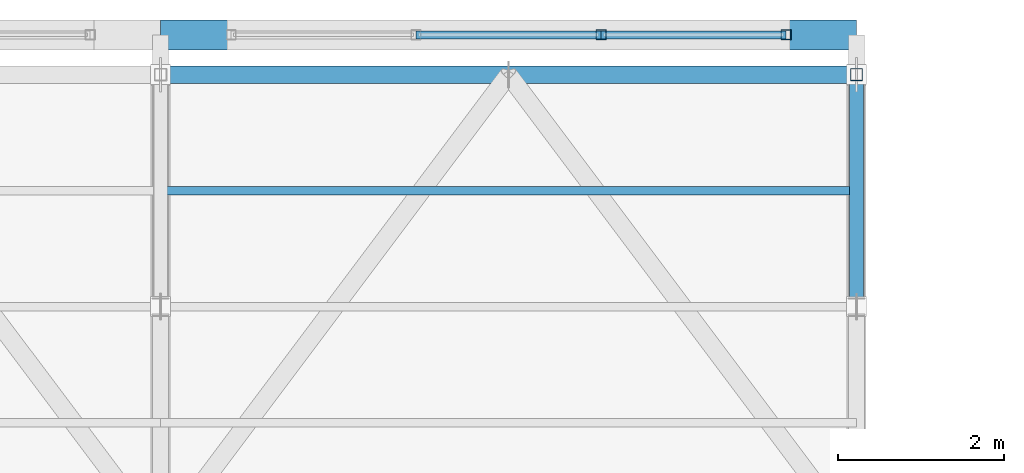
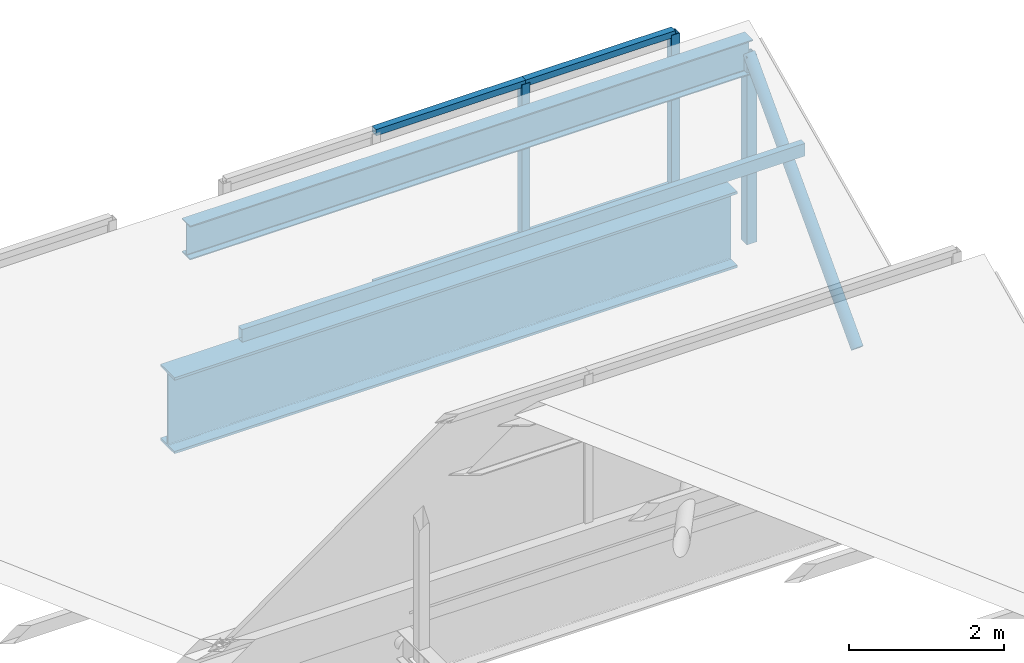
# One storey, part 133 of 217: 10 members, 1 beam, 1 element without a shape of its own.
"""IFC4 building model written with IfcOpenShell, lengths in metres."""

from ifc_helpers import new_model, si_unit, direction, frame, origin, origin_2d, place, context, subcontext, project, spatial, hollow_rectangle, hollow_circle, i_section, extrude, material, material_profile, profile_set, type_object, element, aggregate, save


model = new_model("IFC4")

# Units and contexts
model_context = context("Model", 3, precision=1e-05, world=origin(), true_north=direction((0.0, 1.0)))
body_context = subcontext(model_context, "Body", "Model", "MODEL_VIEW")
ifc_project = project(units=[si_unit("LENGTHUNIT", "METRE"), si_unit("AREAUNIT", "SQUARE_METRE"), si_unit("VOLUMEUNIT", "CUBIC_METRE"), si_unit("PLANEANGLEUNIT", "RADIAN"), si_unit("MASSUNIT", "GRAM", prefix="KILO")], contexts=[model_context])

# Site, building, storey
site_placement = place(None, origin())
site = spatial("IfcSite", under=ifc_project, at=site_placement, CompositionType="ELEMENT")
building_placement = place(site_placement, origin())
building = spatial("IfcBuilding", under=site, at=building_placement, Name="Zuvorla Pavilion Media Centre", CompositionType="ELEMENT")
storey_placement = place(building_placement, frame((0.0, 0.0, 9.60009765625)))
storey = spatial("IfcBuildingStorey", under=building, at=storey_placement, Name="L02", CompositionType="ELEMENT", Elevation=9.60009765625)

# Beam
ifc_material_1 = material(Name="Steel S355", Category="steel")
ifc_material_profile_1 = material_profile(ifc_material_1, i_section(OverallWidth=0.360107421875, OverallDepth=1.199951171875, WebThickness=0.02001953125, FlangeThickness=0.0380859375, FilletRadius=0.02392578125, at=origin_2d()), Name="PG 1200x360x38")
ifc_profile_set_1 = profile_set([ifc_material_profile_1], Name="Steel S355")
beam_type = type_object("IfcBeamType", Name="BM-PG1200", PredefinedType="BEAM", material=ifc_profile_set_1)
beam_placement = place(storey_placement, frame((125.60009765625, 120.0, -0.88818359375), z_axis=(1.0, 0.0, 0.0), x_axis=(0.0, 1.0, 0.0)))
element("IfcBeam", 1, at=beam_placement, inside=storey, type_object=beam_type, Name="L02 beam B01 1813", PredefinedType="BEAM", context=body_context, shape_type="SweptSolid", body=[
    extrude(i_section(OverallWidth=0.360107421875, OverallDepth=1.199951171875, WebThickness=0.02001953125, FlangeThickness=0.0380859375, FilletRadius=0.02392578125, at=origin_2d()), origin(), (0.0, 0.0, 1.0), 8.39990234375),
])

# Curtain wall, members
ifc_material_2 = material(Name="Unitised anodised aluminium and solar glass curtain wall", Category="aluminium")
curtain_wall_type = type_object("IfcCurtainWallType", Name="CW-SYS-89", PredefinedType="USERDEFINED", material=ifc_material_2)
curtain_wall_placement = place(storey_placement, origin())
curtain_wall = element("IfcCurtainWall", 2, at=curtain_wall_placement, inside=storey, type_object=curtain_wall_type, Name="L02 curtain wall CW89 223", ObjectType="CURTAIN WALL", PredefinedType="USERDEFINED")
ifc_material_3 = material(Name="Anodised aluminium 6063-T6", Category="aluminium")
ifc_material_profile_2 = material_profile(ifc_material_3, hollow_rectangle(XDim=0.1201171875, YDim=0.1201171875, WallThickness=0.0048828125, at=origin_2d()), Name="ALU MULL 120x120")
ifc_profile_set_2 = profile_set([ifc_material_profile_2], Name="Anodised aluminium 6063-T6")
member_type_1 = type_object("IfcMemberType", Name="CW-MULL-120", PredefinedType="MULLION", material=ifc_profile_set_2)
member_1_placement = place(storey_placement, frame((130.91650390625, 120.0, 0.0), z_axis=(0.0, 0.0, 1.0), x_axis=(1.0, 0.0, 0.0)))
member_1 = element("IfcMember", 3, at=member_1_placement, type_object=member_type_1, Name="CW89 mullion 3", PredefinedType="MULLION", context=body_context, shape_type="SweptSolid", body=[
    extrude(hollow_rectangle(XDim=0.1201171875, YDim=0.1201171875, WallThickness=0.0048828125, at=origin_2d()), origin(), (0.0, 0.0, 1.0), 2.419921875),
])
member_2_placement = place(storey_placement, frame((133.149658203125, 120.0, 0.0), z_axis=(0.0, 0.0, 1.0), x_axis=(1.0, 0.0, 0.0)))
member_2 = element("IfcMember", 4, at=member_2_placement, type_object=member_type_1, Name="CW89 mullion 4", PredefinedType="MULLION", context=body_context, shape_type="SweptSolid", body=[
    extrude(hollow_rectangle(XDim=0.1201171875, YDim=0.1201171875, WallThickness=0.0048828125, at=origin_2d()), origin(), (0.0, 0.0, 1.0), 2.419921875),
])
ifc_material_profile_3 = material_profile(ifc_material_3, hollow_rectangle(XDim=0.10009765625, YDim=0.10009765625, WallThickness=0.00439453125, at=origin_2d()), Name="ALU TRAN 100x100")
ifc_profile_set_3 = profile_set([ifc_material_profile_3], Name="Anodised aluminium 6063-T6")
member_type_2 = type_object("IfcMemberType", Name="CW-TRAN-100", PredefinedType="USERDEFINED", material=ifc_profile_set_3)
member_3_placement = place(storey_placement, frame((128.683349609375, 120.0, 0.0), z_axis=(1.0, 0.0, 0.0), x_axis=(0.0, 1.0, 0.0)))
member_3 = element("IfcMember", 5, at=member_3_placement, type_object=member_type_2, Name="CW89 transom 2.1", ObjectType="TRANSOM", PredefinedType="USERDEFINED", context=body_context, shape_type="SweptSolid", body=[
    extrude(hollow_rectangle(XDim=0.10009765625, YDim=0.10009765625, WallThickness=0.00439453125, at=origin_2d()), origin(), (0.0, 0.0, 1.0), 2.233154296875),
])
member_4_placement = place(storey_placement, frame((128.683349609375, 120.0, 2.419921875), z_axis=(1.0, 0.0, 0.0), x_axis=(0.0, 1.0, 0.0)))
member_4 = element("IfcMember", 6, at=member_4_placement, type_object=member_type_2, Name="CW89 transom 2.2", ObjectType="TRANSOM", PredefinedType="USERDEFINED", context=body_context, shape_type="SweptSolid", body=[
    extrude(hollow_rectangle(XDim=0.10009765625, YDim=0.10009765625, WallThickness=0.00439453125, at=origin_2d()), origin(), (0.0, 0.0, 1.0), 2.233154296875),
])
member_5_placement = place(storey_placement, frame((130.91650390625, 120.0, 0.0), z_axis=(1.0, 0.0, 0.0), x_axis=(0.0, 1.0, 0.0)))
member_5 = element("IfcMember", 7, at=member_5_placement, type_object=member_type_2, Name="CW89 transom 3.1", ObjectType="TRANSOM", PredefinedType="USERDEFINED", context=body_context, shape_type="SweptSolid", body=[
    extrude(hollow_rectangle(XDim=0.10009765625, YDim=0.10009765625, WallThickness=0.00439453125, at=origin_2d()), origin(), (0.0, 0.0, 1.0), 2.233154296875),
])
member_6_placement = place(storey_placement, frame((130.91650390625, 120.0, 2.419921875), z_axis=(1.0, 0.0, 0.0), x_axis=(0.0, 1.0, 0.0)))
member_6 = element("IfcMember", 8, at=member_6_placement, type_object=member_type_2, Name="CW89 transom 3.2", ObjectType="TRANSOM", PredefinedType="USERDEFINED", context=body_context, shape_type="SweptSolid", body=[
    extrude(hollow_rectangle(XDim=0.10009765625, YDim=0.10009765625, WallThickness=0.00439453125, at=origin_2d()), origin(), (0.0, 0.0, 1.0), 2.233154296875),
])
aggregate(curtain_wall, [member_1, member_2, member_3, member_4, member_5, member_6])

# Members
ifc_material_profile_4 = material_profile(ifc_material_1, hollow_circle(Radius=0.084228515625, WallThickness=0.008056640625, at=origin_2d()), Name="CHS 168.3x8")
ifc_profile_set_4 = profile_set([ifc_material_profile_4], Name="Steel S355")
member_type_3 = type_object("IfcMemberType", Name="MEM-BRC-CHS168", PredefinedType="BRACE", material=ifc_profile_set_4)
member_7_placement = place(storey_placement, frame((134.0, 116.719970703125, -0.880126953125), z_axis=(0.0, 0.68676242614, 0.726881950555), x_axis=(-1.0, 0.0, 0.0)))
element("IfcMember", 9, at=member_7_placement, inside=storey, type_object=member_type_3, Name="L02 diagonal brace TB03 448", PredefinedType="BRACE", context=body_context, shape_type="SweptSolid", body=[
    extrude(hollow_circle(Radius=0.084228515625, WallThickness=0.008056640625, at=origin_2d()), origin(), (0.0, 0.0, 1.0), 4.0771484375),
])
ifc_material_profile_5 = material_profile(ifc_material_1, i_section(OverallWidth=0.2099609375, OverallDepth=0.53662109375, WebThickness=0.0107421875, FlangeThickness=0.017333984375, FilletRadius=0.0126953125, at=origin_2d()), Name="UB 533x210x101")
ifc_profile_set_5 = profile_set([ifc_material_profile_5], Name="Steel S355")
member_type_4 = type_object("IfcMemberType", Name="MEM-CHD-UB533", PredefinedType="CHORD", material=ifc_profile_set_5)
member_8_placement = place(storey_placement, frame((125.60009765625, 119.52001953125, 2.08349609375), z_axis=(1.0, 0.0, 0.0), x_axis=(0.0, 1.0, 0.0)))
element("IfcMember", 10, at=member_8_placement, inside=storey, type_object=member_type_4, Name="L02 chord TC02 492", PredefinedType="CHORD", context=body_context, shape_type="SweptSolid", body=[
    extrude(i_section(OverallWidth=0.2099609375, OverallDepth=0.53662109375, WebThickness=0.0107421875, FlangeThickness=0.017333984375, FilletRadius=0.0126953125, at=origin_2d()), origin(), (0.0, 0.0, 1.0), 8.39990234375),
])
ifc_material_profile_6 = material_profile(ifc_material_1, hollow_rectangle(XDim=0.10009765625, YDim=0.199951171875, WallThickness=0.008056640625, at=origin_2d()), Name="RHS 200x100x8")
ifc_profile_set_6 = profile_set([ifc_material_profile_6], Name="Steel S355")
member_type_5 = type_object("IfcMemberType", Name="MEM-PUR-RHS200", PredefinedType="PURLIN", material=ifc_profile_set_6)
member_9_placement = place(storey_placement, frame((125.60009765625, 118.1201171875, 1.43359375), z_axis=(1.0, 0.0, 0.0), x_axis=(0.0, 1.0, 0.0)))
element("IfcMember", 11, at=member_9_placement, inside=storey, type_object=member_type_5, Name="L02 purlin PR01 497", PredefinedType="PURLIN", context=body_context, shape_type="SweptSolid", body=[
    extrude(hollow_rectangle(XDim=0.10009765625, YDim=0.199951171875, WallThickness=0.008056640625, at=origin_2d()), origin(), (0.0, 0.0, 1.0), 8.39990234375),
])
ifc_material_profile_7 = material_profile(ifc_material_1, hollow_rectangle(XDim=0.14990234375, YDim=0.14990234375, WallThickness=0.008056640625, at=origin_2d()), Name="SHS 150x150x8")
ifc_profile_set_7 = profile_set([ifc_material_profile_7], Name="Steel S355")
member_type_6 = type_object("IfcMemberType", Name="MEM-STR-SHS150", PredefinedType="STRUT", material=ifc_profile_set_7)
member_10_placement = place(storey_placement, frame((134.0, 119.52001953125, -0.880126953125), z_axis=(0.0, 0.0, 1.0), x_axis=(1.0, 0.0, 0.0)))
element("IfcMember", 12, at=member_10_placement, inside=storey, type_object=member_type_6, Name="L02 vertical strut TS01 447", PredefinedType="STRUT", context=body_context, shape_type="SweptSolid", body=[
    extrude(hollow_rectangle(XDim=0.14990234375, YDim=0.14990234375, WallThickness=0.008056640625, at=origin_2d()), origin(), (0.0, 0.0, 1.0), 2.963623046875),
])

save(model, "model.ifc")
